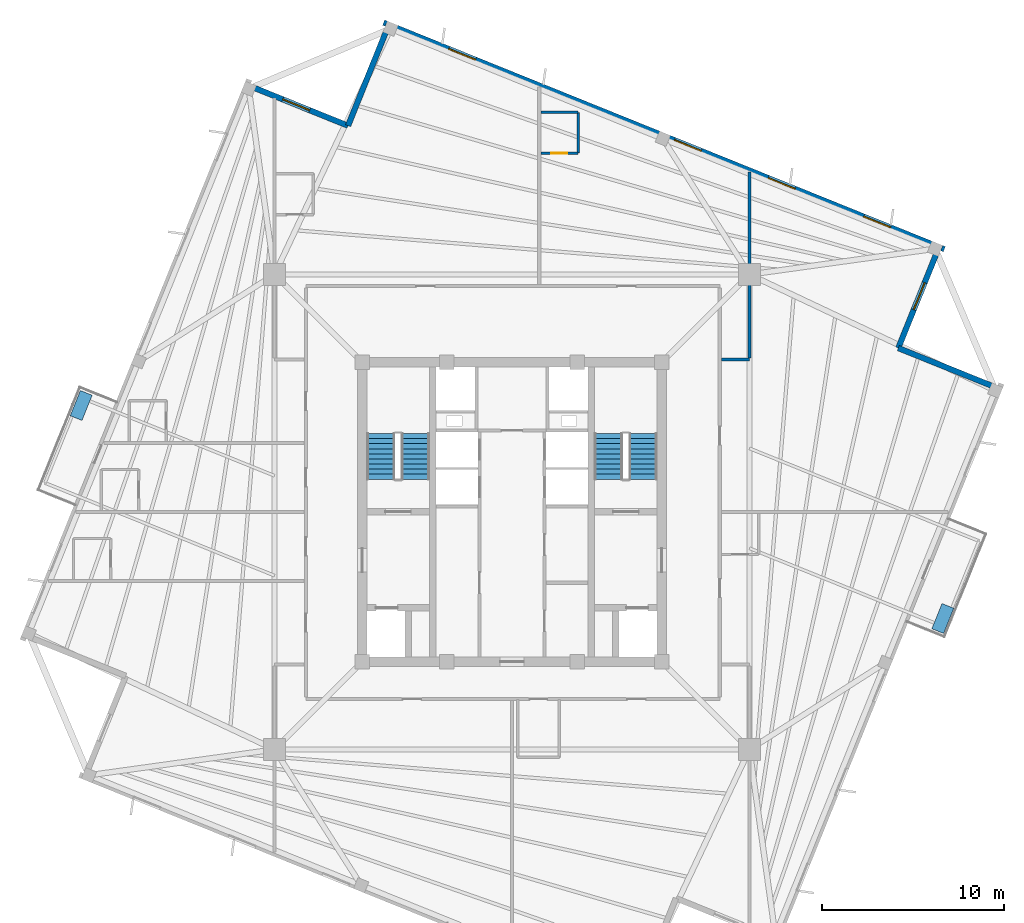
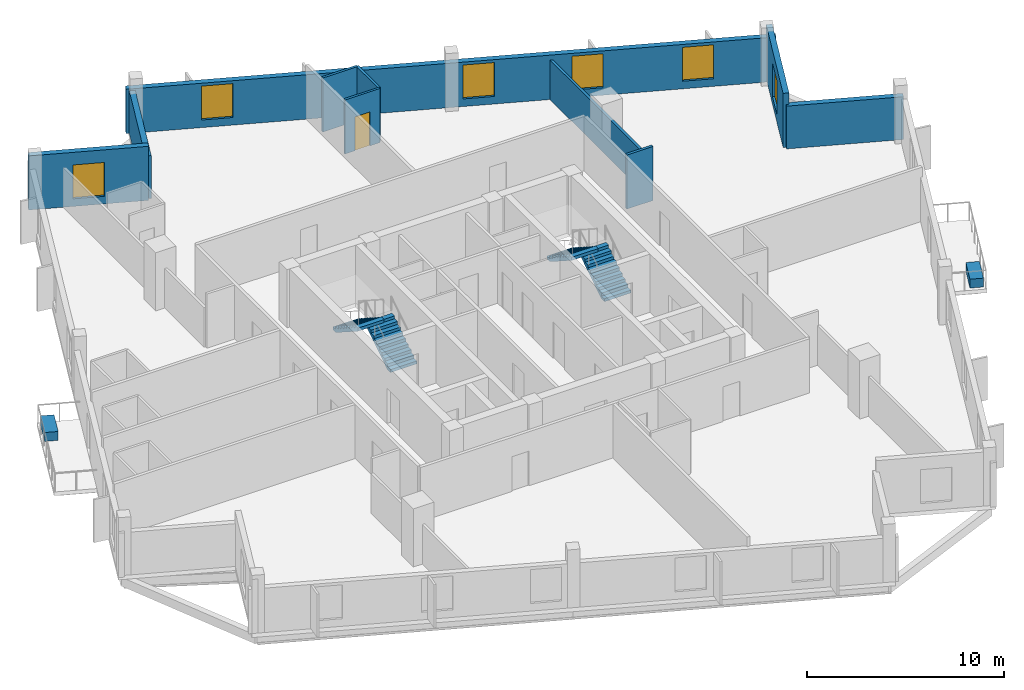
# One storey, part 5 of 8: 10 walls, 6 windows, 4 stair flights, 2 discrete accessories, 1 door, 7 openings, 2 elements without a shape of their own.
"""IFC4 building model written with IfcOpenShell, lengths in metres."""

import ifcopenshell
import ifcopenshell.guid

model = None  # the IFC model being written
_history = None  # IfcOwnerHistory: only IFC2X3 demands one
_inside = {}  # id of a spatial element -> (the spatial element, [elements in it])
_under = {}  # id of a project, library or spatial element -> (it, [spatial elements below it])
_declared = {}  # id of a project -> (the project, [libraries it declares])
_typed = {}  # id of a type object -> (the type object, [elements of that type])
_made_of = {}  # id of a material, layer set ... -> (it, [elements and type objects made of it])


def new_model(schema):
    """Start an empty IFC model of exactly this schema.

    Asked for "IFC4X3", IfcOpenShell would pick the latest addendum, in which some entities
    have other attributes; the version numbers below select the first issue.
    IFC2X3 requires an IfcOwnerHistory on every rooted entity: one is made here for all.
    """
    global model, _history
    if schema == "IFC4X3":
        model = ifcopenshell.file(schema_version=(4, 3, 0, 0))
    else:
        model = ifcopenshell.file(schema=schema)
    _inside.clear()
    _under.clear()
    _declared.clear()
    _typed.clear()
    _made_of.clear()
    _history = None
    if model.schema == "IFC2X3":
        org = make("IfcOrganization", Name="unknown")
        user = make(
            "IfcPersonAndOrganization",
            ThePerson=make("IfcPerson", FamilyName="unknown"),
            TheOrganization=org,
        )
        app = make(
            "IfcApplication",
            ApplicationDeveloper=org,
            Version="unknown",
            ApplicationFullName="unknown",
            ApplicationIdentifier="unknown",
        )
        _history = make(
            "IfcOwnerHistory",
            OwningUser=user,
            OwningApplication=app,
            ChangeAction="ADDED",
            CreationDate=0,
        )
    return model


def make(cls, **values):
    """One entity of the class cls with the attributes given. An attribute that is None is left unset."""
    return model.create_entity(
        cls, **{name: value for name, value in values.items() if value is not None}
    )


def rooted(cls, **values):
    """An entity with a GlobalId (a new one), such as an element, a storey or a relation."""
    return make(cls, GlobalId=ifcopenshell.guid.new(), OwnerHistory=_history, **values)


def si_unit(unit_type, name, prefix=None):
    """IfcSIUnit, for example si_unit("LENGTHUNIT", "METRE", prefix="MILLI")."""
    return make("IfcSIUnit", UnitType=unit_type, Prefix=prefix, Name=name)


def assignment(units):
    """IfcUnitAssignment: the units of a project."""
    return None if units is None else make("IfcUnitAssignment", Units=units)


def point(xyz):
    """IfcCartesianPoint."""
    return None if xyz is None else make("IfcCartesianPoint", Coordinates=xyz)


def direction(xyz):
    """IfcDirection."""
    return None if xyz is None else make("IfcDirection", DirectionRatios=xyz)


def frame(location, z_axis=None, x_axis=None):
    """IfcAxis2Placement3D, a coordinate frame: its origin and axes. An axis left out is left unset."""
    return make(
        "IfcAxis2Placement3D",
        Location=point(location),
        Axis=direction(z_axis),
        RefDirection=direction(x_axis),
    )


def frame_2d(location, x_axis=None):
    """IfcAxis2Placement2D, a coordinate frame in the plane: its origin and x axis."""
    return make(
        "IfcAxis2Placement2D", Location=point(location), RefDirection=direction(x_axis)
    )


def origin():
    """The frame at (0, 0, 0) with its axes left unset."""
    return frame((0.0, 0.0, 0.0))


def origin_2d():
    """The frame at (0, 0) in the plane with its x axis left unset."""
    return frame_2d((0.0, 0.0))


def place(relative_to, where):
    """IfcLocalPlacement: puts the frame where relative to a parent placement (None: the world)."""
    return make(
        "IfcLocalPlacement", PlacementRelTo=relative_to, RelativePlacement=where
    )


def context(
    kind, dimensions, precision=None, world=None, true_north=None, identifier=None
):
    """IfcGeometricRepresentationContext, for example the 3D "Model" context."""
    return make(
        "IfcGeometricRepresentationContext",
        ContextIdentifier=identifier,
        ContextType=kind,
        CoordinateSpaceDimension=dimensions,
        Precision=precision,
        WorldCoordinateSystem=world,
        TrueNorth=true_north,
    )


def subcontext(parent, identifier, kind, view, scale=None):
    """IfcGeometricRepresentationSubContext, for example "Body" below "Model"."""
    return make(
        "IfcGeometricRepresentationSubContext",
        ContextIdentifier=identifier,
        ContextType=kind,
        ParentContext=parent,
        TargetScale=scale,
        TargetView=view,
    )


def project(units=None, contexts=None):
    """IfcProject with its units and contexts."""
    return rooted(
        "IfcProject",
        Name="project",
        RepresentationContexts=contexts,
        UnitsInContext=assignment(units),
    )


def spatial(cls, under=None, at=None, **own):
    """A site, building, storey or space (cls), placed at a placement, below another one or the project."""
    s = rooted(cls, ObjectPlacement=at, **own)
    if under is not None:
        _under.setdefault(under.id(), (under, []))[1].append(s)
    return s


def polyline(points):
    """IfcPolyline through the points."""
    return make("IfcPolyline", Points=[point(p) for p in points])


def profile(cls, at=None, kind="AREA", **sizes):
    """A parametric profile (cls). Its sizes go by their IFC names, for example OverallWidth=200.0."""
    return make(cls, ProfileType=kind, Position=at, **sizes)


def rectangle(**sizes):
    """IfcRectangleProfileDef."""
    return profile("IfcRectangleProfileDef", **sizes)


def outline(outer, holes=None, kind="AREA"):
    """IfcArbitraryClosedProfileDef: a profile drawn as a closed curve; with holes, ...WithVoids."""
    if holes is None:
        return make("IfcArbitraryClosedProfileDef", ProfileType=kind, OuterCurve=outer)
    return make(
        "IfcArbitraryProfileDefWithVoids",
        ProfileType=kind,
        OuterCurve=outer,
        InnerCurves=holes,
    )


def extrude(swept, where, along, depth):
    """IfcExtrudedAreaSolid: the profile swept, set in the frame where, extruded along a direction by depth."""
    return make(
        "IfcExtrudedAreaSolid",
        SweptArea=swept,
        Position=where,
        ExtrudedDirection=direction(along),
        Depth=depth,
    )


def shape(context_of_items, identifier, shape_type, items):
    """IfcShapeRepresentation: the items that make up one representation, for example the "Body"."""
    return make(
        "IfcShapeRepresentation",
        ContextOfItems=context_of_items,
        RepresentationIdentifier=identifier,
        RepresentationType=shape_type,
        Items=items,
    )


def source(mapping_origin, context_of_items, identifier, shape_type, items):
    """IfcRepresentationMap: a shape defined once, which mapped items show again and again."""
    return make(
        "IfcRepresentationMap",
        MappingOrigin=mapping_origin,
        MappedRepresentation=shape(context_of_items, identifier, shape_type, items),
    )


def transform(
    local_origin,
    x_axis=None,
    y_axis=None,
    z_axis=None,
    scale=None,
    scale2=None,
    scale3=None,
    uniform=True,
):
    """IfcCartesianTransformationOperator3D, or its non-uniform kind. x_axis, y_axis, z_axis: its Axis1, 2, 3."""
    if uniform:
        return make(
            "IfcCartesianTransformationOperator3D",
            Axis1=direction(x_axis),
            Axis2=direction(y_axis),
            LocalOrigin=point(local_origin),
            Scale=scale,
            Axis3=direction(z_axis),
        )
    return make(
        "IfcCartesianTransformationOperator3DnonUniform",
        Axis1=direction(x_axis),
        Axis2=direction(y_axis),
        LocalOrigin=point(local_origin),
        Scale=scale,
        Axis3=direction(z_axis),
        Scale2=scale2,
        Scale3=scale3,
    )


def mapped(mapping_source, mapping_target):
    """IfcMappedItem: shows the shape of a source again, moved by a transform."""
    return make(
        "IfcMappedItem", MappingSource=mapping_source, MappingTarget=mapping_target
    )


def material(Name=None, Category=None):
    """IfcMaterial."""
    return make("IfcMaterial", Name=Name, Category=Category)


def layer(
    of_material, thickness, ventilated=None, Name=None, Category=None, Priority=None
):
    """IfcMaterialLayer: one layer of a wall or slab, of a material (None: an air gap)."""
    return make(
        "IfcMaterialLayer",
        Material=of_material,
        LayerThickness=thickness,
        IsVentilated=ventilated,
        Name=Name,
        Category=Category,
        Priority=Priority,
    )


def layer_set(layers, Name=None):
    """IfcMaterialLayerSet."""
    return make("IfcMaterialLayerSet", MaterialLayers=layers, LayerSetName=Name)


def made_of(thing, what):
    """Note that an element or type object is made of a material, layer set ...; save() writes the relation."""
    if what is not None:
        _made_of.setdefault(what.id(), (what, []))[1].append(thing)
    return thing


def type_object(cls, material=None, **own):
    """A type object (cls), such as IfcWallType, which elements share."""
    return made_of(rooted(cls, **own), material)


def element(
    cls,
    number,
    at=None,
    inside=None,
    cuts=None,
    type_object=None,
    material=None,
    context=None,
    identifier="Body",
    shape_type=None,
    held_by="IfcProductDefinitionShape",
    body=None,
    shapes=None,
    **own,
):
    """One element of the class cls, such as IfcWall. Its Tag is "e" and its number.

    at: its placement. inside: the storey or other place that contains it. cuts: it is an
    opening in that element (IfcRelVoidsElement). A single representation is given by context,
    identifier, shape_type and body (its items); several are given by shapes. held_by: the class
    of the entity that holds the representations. save() writes the other relations.
    """
    e = rooted(cls, Tag="e%d" % number, ObjectPlacement=at, **own)
    if body is not None:
        shapes = [shape(context, identifier, shape_type, body)]
    if shapes is not None:
        e.Representation = make(held_by, Representations=shapes)
    if inside is not None:
        _inside.setdefault(inside.id(), (inside, []))[1].append(e)
    if cuts is not None:
        rooted(
            "IfcRelVoidsElement", RelatingBuildingElement=cuts, RelatedOpeningElement=e
        )
    if type_object is not None:
        _typed.setdefault(type_object.id(), (type_object, []))[1].append(e)
    return made_of(e, material)


def fill(opening, filler):
    """IfcRelFillsElement: the door or window that sits in an opening."""
    return rooted(
        "IfcRelFillsElement",
        RelatingOpeningElement=opening,
        RelatedBuildingElement=filler,
    )


def aggregate(whole, parts):
    """IfcRelAggregates: a whole, such as a stair, and the parts it consists of."""
    return rooted("IfcRelAggregates", RelatingObject=whole, RelatedObjects=parts)


def save(model, path):
    """Write the relations noted so far, then the file.

    IfcRelAggregates (storeys below a building ...), IfcRelContainedInSpatialStructure (elements
    in a storey), IfcRelDefinesByType, IfcRelAssociatesMaterial and IfcRelDeclares: one each for
    every whole, place, type object, material and project.
    """
    for whole, parts in _under.values():
        aggregate(whole, parts)
    for where, things in _inside.values():
        rooted(
            "IfcRelContainedInSpatialStructure",
            RelatedElements=things,
            RelatingStructure=where,
        )
    for kind, things in _typed.values():
        rooted("IfcRelDefinesByType", RelatedObjects=things, RelatingType=kind)
    for what, things in _made_of.values():
        rooted("IfcRelAssociatesMaterial", RelatedObjects=things, RelatingMaterial=what)
    for by, libraries in _declared.values():
        rooted("IfcRelDeclares", RelatingContext=by, RelatedDefinitions=libraries)
    model.write(path)


model = new_model("IFC4")

# Units and contexts
model_context = context("Model", 3, precision=1e-05, world=origin(), true_north=direction((0.0, 1.0)))
body_context = subcontext(model_context, "Body", "Model", "MODEL_VIEW")
ifc_project = project(units=[si_unit("LENGTHUNIT", "METRE"), si_unit("AREAUNIT", "SQUARE_METRE"), si_unit("VOLUMEUNIT", "CUBIC_METRE"), si_unit("PLANEANGLEUNIT", "RADIAN"), si_unit("MASSUNIT", "GRAM", prefix="KILO"), si_unit("THERMODYNAMICTEMPERATUREUNIT", "KELVIN")], contexts=[model_context])

# Site, building, storey
site_placement = place(None, origin())
site = spatial("IfcSite", under=ifc_project, at=site_placement, CompositionType="ELEMENT")
building_placement = place(site_placement, origin())
building = spatial("IfcBuilding", under=site, at=building_placement, Name="Kosmvard Interchange Tower", CompositionType="ELEMENT")
storey_placement = place(building_placement, frame((0.0, 0.0, 290.39990234375)))
storey = spatial("IfcBuildingStorey", under=building, at=storey_placement, Name="L71", CompositionType="ELEMENT", Elevation=290.39990234375)

# Walls
ifc_material_1 = material(Name="Acoustic gypsum partition system")
ifc_layer_1 = layer(ifc_material_1, 0.14990234375, Name="Acoustic gypsum partition system")
ifc_layer_set_1 = layer_set([ifc_layer_1], Name="Acoustic gypsum partition system")
wall_type_1 = type_object("IfcWallType", Name="Acoustic Suite & Meeting Partition 150", PredefinedType="PARTITIONING", material=ifc_layer_set_1)
wall_1_placement = place(storey_placement, frame((11.544921875, 8.39990234375, 0.0), z_axis=(0.0, 0.0, 1.0), x_axis=(1.0, 0.0, 0.0)))
element("IfcWall", 1, at=wall_1_placement, inside=storey, type_object=wall_type_1, Name="L71 Room Partition 09.1", PredefinedType="PARTITIONING", context=body_context, shape_type="SweptSolid", body=[
    extrude(rectangle(XDim=1.5361328125, YDim=0.14990234375, at=frame_2d((0.76806640625, 0.0))), origin(), (0.0, 0.0, 1.0), 3.35009765625),
])
wall_2_placement = place(storey_placement, frame((13.0810546875, 8.47509765625, 0.0), z_axis=(0.0, 0.0, 1.0), x_axis=(0.0, 1.0, 0.0)))
element("IfcWall", 2, at=wall_2_placement, inside=storey, type_object=wall_type_1, Name="L71 Room Partition 10.1", PredefinedType="PARTITIONING", context=body_context, shape_type="SweptSolid", body=[
    extrude(rectangle(XDim=10.24267578125, YDim=0.14990234375, at=frame_2d((5.121337890625, 0.0))), origin(), (0.0, 0.0, 1.0), 2.4501953125),
])
ifc_material_2 = material(Name="Precast concrete C45/55", Category="concrete")
ifc_layer_2 = layer(ifc_material_2, 0.31005859375, Name="Precast concrete C45/55")
ifc_layer_set_2 = layer_set([ifc_layer_2], Name="Precast concrete C45/55")
wall_type_2 = type_object("IfcWallType", Name="Upper Tower Precast Pier Wall 310 C45/55", PredefinedType="STANDARD", material=ifc_layer_set_2)
wall_3_placement = place(storey_placement, frame((26.8408203125, 6.7841796875, 0.0), z_axis=(0.0, 0.0, 1.0), x_axis=(-0.927171722085, 0.374636620962, 0.0)))
element("IfcWall", 3, at=wall_3_placement, inside=storey, type_object=wall_type_2, Name="L71 Precast Facade Wall N-SE1", PredefinedType="STANDARD", context=body_context, shape_type="SweptSolid", body=[
    extrude(rectangle(XDim=6.0, YDim=0.31005859375, at=frame_2d((3.0, 0.0))), origin(), (0.0, 0.0, 1.0), 2.650146484375),
])

# Wall, opening, window
wall_4_placement = place(storey_placement, frame((21.27783203125, 9.031982421875, 0.0), z_axis=(0.0, 0.0, 1.0), x_axis=(0.374602739196, 0.927185411764, 0.0)))
wall_4 = element("IfcWall", 4, at=wall_4_placement, inside=storey, type_object=wall_type_2, Name="L71 Precast Facade Wall N-SE2", PredefinedType="STANDARD", context=body_context, shape_type="SweptSolid", body=[
    extrude(rectangle(XDim=6.155029296875, YDim=0.31005859375, at=frame_2d((3.07763671875, 0.0))), origin(), (0.0, 0.0, 1.0), 3.35009765625),
])
opening_1_placement = place(wall_4_placement, frame((2.277587890625, 0.0, 0.469970703125)))
opening_1 = element("IfcOpeningElement", 5, at=opening_1_placement, cuts=wall_4, Name="Opening L71-W18", PredefinedType="OPENING", context=body_context, shape_type="SweptSolid", body=[
    extrude(rectangle(XDim=1.60009765625, YDim=2.10009765625, at=frame_2d((0.800048828125, 1.050048828125))), frame((0.0, 0.1650390625, 0.0), z_axis=(0.0, -1.0, 0.0), x_axis=(1.0, 0.0, 0.0)), (0.0, 0.0, 1.0), 0.330078125),
])
ifc_material_3 = material(Name="Low-E acoustic double glazing", Category="glass")
window_type = type_object("IfcWindowType", Name="Zone 5 Hotel Punched Window 1600x2100", PartitioningType="SINGLE_PANEL", PredefinedType="WINDOW", material=ifc_material_3)
shared_shape_1 = source(origin(), body_context, "Body", "SweptSolid", [
    extrude(rectangle(XDim=1.60009765625, YDim=2.10009765625, at=frame_2d((0.800048828125, 1.050048828125))), frame((0.0, 0.030029296875, 0.0), z_axis=(0.0, -1.0, 0.0), x_axis=(1.0, 0.0, 0.0)), (0.0, 0.0, 1.0), 0.06005859375),
])
window_1_placement = place(opening_1_placement, origin())
window_1 = element("IfcWindow", 6, at=window_1_placement, inside=storey, type_object=window_type, Name="L71 Corner Notch Window 18", OverallHeight=2.10009765625, OverallWidth=1.60009765625, PartitioningType="SINGLE_PANEL", PredefinedType="WINDOW", context=body_context, shape_type="MappedRepresentation", body=[
    mapped(shared_shape_1, transform((0.0, 0.0, 0.0), scale=1.0)),
])
fill(opening_1, window_1)

# Wall, openings, windows
wall_5_placement = place(storey_placement, frame((23.812744140625, 14.478759765625, 0.0), z_axis=(0.0, 0.0, 1.0), x_axis=(-0.927182657188, 0.374609557019, 0.0)))
wall_5 = element("IfcWall", 7, at=wall_5_placement, inside=storey, type_object=wall_type_2, Name="L71 Precast Facade Wall F-E", PredefinedType="STANDARD", context=body_context, shape_type="SweptSolid", body=[
    extrude(rectangle(XDim=33.31005859375, YDim=0.31005859375, at=frame_2d((16.655029296875, 0.0))), origin(), (0.0, 0.0, 1.0), 2.75),
])
opening_2_placement = place(wall_5_placement, frame((3.197265625, 0.0, 0.469970703125)))
opening_2 = element("IfcOpeningElement", 8, at=opening_2_placement, cuts=wall_5, Name="Opening L71-W05", PredefinedType="OPENING", context=body_context, shape_type="SweptSolid", body=[
    extrude(rectangle(XDim=1.60009765625, YDim=2.10009765625, at=frame_2d((0.800048828125, 1.050048828125))), frame((0.0, 0.1650390625, 0.0), z_axis=(0.0, -1.0, 0.0), x_axis=(1.0, 0.0, 0.0)), (0.0, 0.0, 1.0), 0.330078125),
])
opening_3_placement = place(wall_5_placement, frame((8.85986328125, 0.0, 0.469970703125)))
opening_3 = element("IfcOpeningElement", 9, at=opening_3_placement, cuts=wall_5, Name="Opening L71-W06", PredefinedType="OPENING", context=body_context, shape_type="SweptSolid", body=[
    extrude(rectangle(XDim=1.60009765625, YDim=2.10009765625, at=frame_2d((0.800048828125, 1.050048828125))), frame((0.0, 0.1650390625, 0.0), z_axis=(0.0, -1.0, 0.0), x_axis=(1.0, 0.0, 0.0)), (0.0, 0.0, 1.0), 0.330078125),
])
opening_4_placement = place(wall_5_placement, frame((14.438720703125, 0.0, 0.469970703125)))
opening_4 = element("IfcOpeningElement", 10, at=opening_4_placement, cuts=wall_5, Name="Opening L71-W07", PredefinedType="OPENING", context=body_context, shape_type="SweptSolid", body=[
    extrude(rectangle(XDim=1.60009765625, YDim=2.10009765625, at=frame_2d((0.800048828125, 1.050048828125))), frame((0.0, 0.1650390625, 0.0), z_axis=(0.0, -1.0, 0.0), x_axis=(1.0, 0.0, 0.0)), (0.0, 0.0, 1.0), 0.330078125),
])
opening_5_placement = place(wall_5_placement, frame((27.8466796875, 0.0, 0.469970703125)))
opening_5 = element("IfcOpeningElement", 11, at=opening_5_placement, cuts=wall_5, Name="Opening L71-W08", PredefinedType="OPENING", context=body_context, shape_type="SweptSolid", body=[
    extrude(rectangle(XDim=1.60009765625, YDim=2.10009765625, at=frame_2d((0.800048828125, 1.050048828125))), frame((0.0, 0.1650390625, 0.0), z_axis=(0.0, -1.0, 0.0), x_axis=(1.0, 0.0, 0.0)), (0.0, 0.0, 1.0), 0.330078125),
])
window_2_placement = place(opening_2_placement, origin())
window_2 = element("IfcWindow", 12, at=window_2_placement, inside=storey, type_object=window_type, Name="L71 Facade Punched Window 05", OverallHeight=2.10009765625, OverallWidth=1.60009765625, PartitioningType="SINGLE_PANEL", PredefinedType="WINDOW", context=body_context, shape_type="MappedRepresentation", body=[
    mapped(shared_shape_1, transform((0.0, 0.0, 0.0), scale=1.0)),
])
fill(opening_2, window_2)
window_3_placement = place(opening_3_placement, origin())
window_3 = element("IfcWindow", 13, at=window_3_placement, inside=storey, type_object=window_type, Name="L71 Facade Punched Window 06", OverallHeight=2.10009765625, OverallWidth=1.60009765625, PartitioningType="SINGLE_PANEL", PredefinedType="WINDOW", context=body_context, shape_type="MappedRepresentation", body=[
    mapped(shared_shape_1, transform((0.0, 0.0, 0.0), scale=1.0)),
])
fill(opening_3, window_3)
window_4_placement = place(opening_4_placement, origin())
window_4 = element("IfcWindow", 14, at=window_4_placement, inside=storey, type_object=window_type, Name="L71 Facade Punched Window 07", OverallHeight=2.10009765625, OverallWidth=1.60009765625, PartitioningType="SINGLE_PANEL", PredefinedType="WINDOW", context=body_context, shape_type="MappedRepresentation", body=[
    mapped(shared_shape_1, transform((0.0, 0.0, 0.0), scale=1.0)),
])
fill(opening_4, window_4)
window_5_placement = place(opening_5_placement, origin())
window_5 = element("IfcWindow", 15, at=window_5_placement, inside=storey, type_object=window_type, Name="L71 Facade Punched Window 08", OverallHeight=2.10009765625, OverallWidth=1.60009765625, PartitioningType="SINGLE_PANEL", PredefinedType="WINDOW", context=body_context, shape_type="MappedRepresentation", body=[
    mapped(shared_shape_1, transform((0.0, 0.0, 0.0), scale=1.0)),
])
fill(opening_5, window_5)

# Wall
wall_6_placement = place(storey_placement, frame((-6.7841796875, 26.8408203125, 0.0), z_axis=(0.0, 0.0, 1.0), x_axis=(-0.374636620962, -0.927171722085, 0.0)))
element("IfcWall", 16, at=wall_6_placement, inside=storey, type_object=wall_type_2, Name="L71 Precast Facade Wall N-NE1", PredefinedType="STANDARD", context=body_context, shape_type="SweptSolid", body=[
    extrude(rectangle(XDim=6.0, YDim=0.31005859375, at=frame_2d((3.0, 0.0))), origin(), (0.0, 0.0, 1.0), 2.650146484375),
])

# Wall, opening, window
wall_7_placement = place(storey_placement, frame((-9.031982421875, 21.27783203125, 0.0), z_axis=(0.0, 0.0, 1.0), x_axis=(-0.927185411764, 0.374602739196, 0.0)))
wall_7 = element("IfcWall", 17, at=wall_7_placement, inside=storey, type_object=wall_type_2, Name="L71 Precast Facade Wall N-NE2", PredefinedType="STANDARD", context=body_context, shape_type="SweptSolid", body=[
    extrude(rectangle(XDim=6.155029296875, YDim=0.31005859375, at=frame_2d((3.07763671875, 0.0))), origin(), (0.0, 0.0, 1.0), 3.35009765625),
])
opening_6_placement = place(wall_7_placement, frame((2.277587890625, 0.0, 0.469970703125)))
opening_6 = element("IfcOpeningElement", 18, at=opening_6_placement, cuts=wall_7, Name="Opening L71-W19", PredefinedType="OPENING", context=body_context, shape_type="SweptSolid", body=[
    extrude(rectangle(XDim=1.60009765625, YDim=2.10009765625, at=frame_2d((0.800048828125, 1.050048828125))), frame((0.0, 0.1650390625, 0.0), z_axis=(0.0, -1.0, 0.0), x_axis=(1.0, 0.0, 0.0)), (0.0, 0.0, 1.0), 0.330078125),
])
window_6_placement = place(opening_6_placement, origin())
window_6 = element("IfcWindow", 19, at=window_6_placement, inside=storey, type_object=window_type, Name="L71 Corner Notch Window 19", OverallHeight=2.10009765625, OverallWidth=1.60009765625, PartitioningType="SINGLE_PANEL", PredefinedType="WINDOW", context=body_context, shape_type="MappedRepresentation", body=[
    mapped(shared_shape_1, transform((0.0, 0.0, 0.0), scale=1.0)),
])
fill(opening_6, window_6)

# Wall, opening, door
ifc_material_4 = material(Name="Moisture-resistant gypsum partition")
ifc_layer_3 = layer(ifc_material_4, 0.135009765625, Name="Moisture-resistant gypsum partition")
ifc_layer_set_3 = layer_set([ifc_layer_3], Name="Moisture-resistant gypsum partition")
wall_type_3 = type_object("IfcWallType", Name="Wet Room Moisture-Resistant Partition 135", PredefinedType="PARTITIONING", material=ifc_layer_set_3)
wall_8_placement = place(storey_placement, frame((1.590087890625, 19.763427734375, 0.0), z_axis=(0.0, 0.0, 1.0), x_axis=(1.0, 0.0, 0.0)))
wall_8 = element("IfcWall", 20, at=wall_8_placement, inside=storey, type_object=wall_type_3, Name="L71 En-Suite Partition HPS4-S", PredefinedType="PARTITIONING", context=body_context, shape_type="SweptSolid", body=[
    extrude(rectangle(XDim=2.0498046875, YDim=0.135009765625, at=frame_2d((1.02490234375, 0.0))), origin(), (0.0, 0.0, 1.0), 3.35009765625),
])
opening_7_placement = place(wall_8_placement, frame((0.5849609375, 0.0, 0.0)))
opening_7 = element("IfcOpeningElement", 21, at=opening_7_placement, cuts=wall_8, Name="Opening L71-ED09", PredefinedType="OPENING", context=body_context, shape_type="SweptSolid", body=[
    extrude(rectangle(XDim=0.8798828125, YDim=2.10009765625, at=frame_2d((0.43994140625, 1.050048828125))), frame((0.0, 0.07763671875, 0.0), z_axis=(0.0, -1.0, 0.0), x_axis=(1.0, 0.0, 0.0)), (0.0, 0.0, 1.0), 0.155029296875),
])
ifc_material_5 = material(Name="Laminated moisture-resistant timber", Category="wood")
door_type = type_object("IfcDoorType", Name="En-Suite & Washroom Door 880x2100", OperationType="NOTDEFINED", PredefinedType="DOOR", material=ifc_material_5)
shared_shape_2 = source(origin(), body_context, "Body", "SweptSolid", [
    extrude(rectangle(XDim=0.8798828125, YDim=2.10009765625, at=frame_2d((0.43994140625, 1.050048828125))), frame((0.0, 0.02490234375, 0.0), z_axis=(0.0, -1.0, 0.0), x_axis=(1.0, 0.0, 0.0)), (0.0, 0.0, 1.0), 0.050048828125),
])
door_placement = place(opening_7_placement, origin())
door = element("IfcDoor", 22, at=door_placement, inside=storey, type_object=door_type, Name="L71 HPS4 En-Suite Door", OperationType="SINGLE_SWING_RIGHT", OverallHeight=2.10009765625, OverallWidth=0.8798828125, PredefinedType="DOOR", context=body_context, shape_type="MappedRepresentation", body=[
    mapped(shared_shape_2, transform((0.0, 0.0, 0.0), scale=1.0)),
])
fill(opening_7, door)

# Walls
wall_9_placement = place(storey_placement, frame((3.639892578125, 19.763427734375, 0.0), z_axis=(0.0, 0.0, 1.0), x_axis=(0.0, 1.0, 0.0)))
element("IfcWall", 23, at=wall_9_placement, inside=storey, type_object=wall_type_3, Name="L71 En-Suite Partition HPS4-E", PredefinedType="PARTITIONING", context=body_context, shape_type="SweptSolid", body=[
    extrude(rectangle(XDim=2.25, YDim=0.135009765625, at=frame_2d((1.125, 0.0))), origin(), (0.0, 0.0, 1.0), 3.35009765625),
])
wall_10_placement = place(storey_placement, frame((1.590087890625, 22.013427734375, 0.0), z_axis=(0.0, 0.0, 1.0), x_axis=(1.0, 0.0, 0.0)))
element("IfcWall", 24, at=wall_10_placement, inside=storey, type_object=wall_type_3, Name="L71 En-Suite Partition HPS4-N", PredefinedType="PARTITIONING", context=body_context, shape_type="SweptSolid", body=[
    extrude(rectangle(XDim=2.0498046875, YDim=0.135009765625, at=frame_2d((1.02490234375, 0.0))), origin(), (0.0, 0.0, 1.0), 3.35009765625),
])

# Stair, stair flights
ifc_material_6 = material(Name="Concrete C50/60", Category="concrete")
stair_type = type_object("IfcStairType", Name="Dog-Leg Core Exit Stair H3600 C50/60", PredefinedType="HALF_TURN_STAIR", material=ifc_material_6)
stair_1_placement = place(storey_placement, origin())
stair_1 = element("IfcStair", 25, at=stair_1_placement, inside=storey, type_object=stair_type, Name="L71 Protected Exit Stair ST-1", PredefinedType="HALF_TURN_STAIR")
stair_flight_type = type_object("IfcStairFlightType", Name="Core Stair Flight W1550 H3600 C50/60", PredefinedType="STRAIGHT", material=ifc_material_6)
shared_shape_3 = source(origin(), body_context, "Body", "SweptSolid", [
    extrude(outline(polyline([(0.0, 0.0), (0.0, 0.179931640625), (0.280029296875, 0.179931640625), (0.280029296875, 0.360107421875), (0.56005859375, 0.360107421875), (0.56005859375, 0.5400390625), (0.840087890625, 0.5400390625), (0.840087890625, 0.719970703125), (1.1201171875, 0.719970703125), (1.1201171875, 0.89990234375), (1.39990234375, 0.89990234375), (1.39990234375, 1.080078125), (1.679931640625, 1.080078125), (1.679931640625, 1.260009765625), (1.9599609375, 1.260009765625), (1.9599609375, 1.43994140625), (2.239990234375, 1.43994140625), (2.239990234375, 1.6201171875), (2.52001953125, 1.6201171875), (2.52001953125, 1.800048828125), (2.52001953125, 1.429931640625), (0.295654296875, 0.0), (0.0, 0.0)])), frame((0.0, 0.77490234375, 0.0), z_axis=(0.0, -1.0, 0.0), x_axis=(1.0, 0.0, 0.0)), (0.0, 0.0, 1.0), 1.550048828125),
])
stair_flight_1_placement = place(storey_placement, frame((-5.31494140625, 1.800048828125, 0.0), z_axis=(0.0, 0.0, 1.0), x_axis=(0.0, 1.0, 0.0)))
stair_flight_1 = element("IfcStairFlight", 26, at=stair_flight_1_placement, type_object=stair_flight_type, Name="ST-1 flight 1", NumberOfRisers=10, NumberOfTreads=9, PredefinedType="STRAIGHT", RiserHeight=0.18, TreadLength=0.28, context=body_context, shape_type="MappedRepresentation", body=[
    mapped(shared_shape_3, transform((0.0, 0.0, 0.0), scale=1.0)),
])
stair_flight_2_placement = place(storey_placement, frame((-7.22509765625, 4.320068359375, 1.800048828125), z_axis=(0.0, 0.0, 1.0), x_axis=(0.0, -1.0, 0.0)))
stair_flight_2 = element("IfcStairFlight", 27, at=stair_flight_2_placement, type_object=stair_flight_type, Name="ST-1 flight 2", NumberOfRisers=10, NumberOfTreads=9, PredefinedType="STRAIGHT", RiserHeight=0.18, TreadLength=0.28, context=body_context, shape_type="MappedRepresentation", body=[
    mapped(shared_shape_3, transform((0.0, 0.0, 0.0), scale=1.0)),
])
aggregate(stair_1, [stair_flight_1, stair_flight_2])

stair_2_placement = place(storey_placement, origin())
stair_2 = element("IfcStair", 28, at=stair_2_placement, inside=storey, type_object=stair_type, Name="L71 Protected Exit Stair ST-2", PredefinedType="HALF_TURN_STAIR")
stair_flight_3_placement = place(storey_placement, frame((7.22509765625, 1.800048828125, 0.0), z_axis=(0.0, 0.0, 1.0), x_axis=(0.0, 1.0, 0.0)))
stair_flight_3 = element("IfcStairFlight", 29, at=stair_flight_3_placement, type_object=stair_flight_type, Name="ST-2 flight 1", NumberOfRisers=10, NumberOfTreads=9, PredefinedType="STRAIGHT", RiserHeight=0.18, TreadLength=0.28, context=body_context, shape_type="MappedRepresentation", body=[
    mapped(shared_shape_3, transform((0.0, 0.0, 0.0), scale=1.0)),
])
stair_flight_4_placement = place(storey_placement, frame((5.31494140625, 4.320068359375, 1.800048828125), z_axis=(0.0, 0.0, 1.0), x_axis=(0.0, -1.0, 0.0)))
stair_flight_4 = element("IfcStairFlight", 30, at=stair_flight_4_placement, type_object=stair_flight_type, Name="ST-2 flight 2", NumberOfRisers=10, NumberOfTreads=9, PredefinedType="STRAIGHT", RiserHeight=0.18, TreadLength=0.28, context=body_context, shape_type="MappedRepresentation", body=[
    mapped(shared_shape_3, transform((0.0, 0.0, 0.0), scale=1.0)),
])
aggregate(stair_2, [stair_flight_3, stair_flight_4])

# Discrete accessories
ifc_material_7 = material(Name="Terracotta precast planter concrete C45/55", Category="masonry")
discrete_accessory_type = type_object("IfcDiscreteAccessoryType", Name="Precast Tree-Balcony & Terrace Planter Box", PredefinedType="USERDEFINED", material=ifc_material_7)
shared_shape_4 = source(origin(), body_context, "Body", "SweptSolid", [
    extrude(rectangle(XDim=1.5, YDim=0.699951171875, at=origin_2d()), origin(), (0.0, 0.0, 1.0), 0.550048828125),
])
for number, where, z_axis, x_axis, name in (
    (31, (23.730224609375, -5.86669921875, 0.0), (0.0, 0.0, 1.0), (0.374606593416, 0.927183854567, 0.0), "L71 Balcony Tree Planter BAL-L71-SW"),
    (32, (-23.730224609375, 5.86669921875, 0.0), (0.0, 0.0, 1.0), (0.374606593416, 0.927183854567, 0.0), "L71 Balcony Tree Planter BAL-L71-NE"),
):
    element("IfcDiscreteAccessory", number, at=place(storey_placement, frame(where, z_axis=z_axis, x_axis=x_axis)), inside=storey, type_object=discrete_accessory_type, Name=name, ObjectType="PLANTER", PredefinedType="USERDEFINED", context=body_context, shape_type="MappedRepresentation", body=[
        mapped(shared_shape_4, transform((0.0, 0.0, 0.0), scale=1.0)),
    ])

save(model, "model.ifc")
